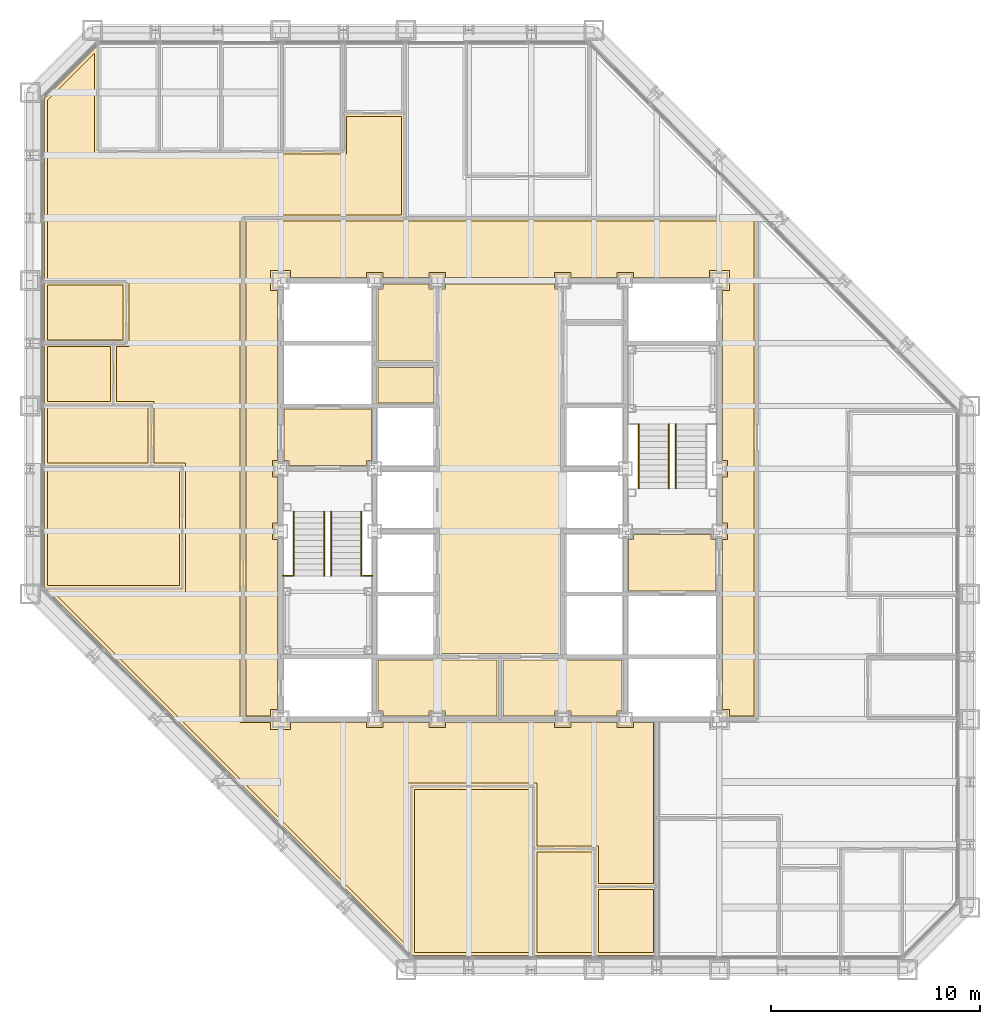
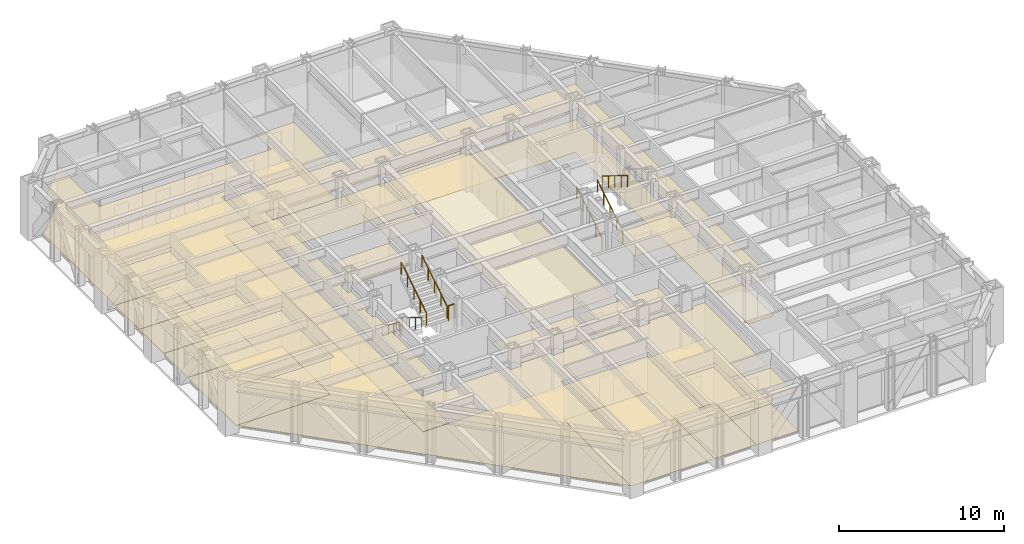
# One storey, part 14 of 16: 25 coverings, 9 railings.
"""IFC4 building model written with IfcOpenShell, lengths in metres."""

from ifc_helpers import new_model, si_unit, direction, frame, origin, origin_2d, place, context, subcontext, project, spatial, polyline, circle, outline, extrude, material, layer, layer_set, type_object, element, save


model = new_model("IFC4")

# Units and contexts
model_context = context("Model", 3, precision=1e-05, world=origin(), true_north=direction((0.0, 1.0)))
body_context = subcontext(model_context, "Body", "Model", "MODEL_VIEW")
ifc_project = project(units=[si_unit("LENGTHUNIT", "METRE"), si_unit("AREAUNIT", "SQUARE_METRE"), si_unit("VOLUMEUNIT", "CUBIC_METRE"), si_unit("PLANEANGLEUNIT", "RADIAN"), si_unit("MASSUNIT", "GRAM", prefix="KILO")], contexts=[model_context])

# Site, building, storey
site_placement = place(None, origin())
site = spatial("IfcSite", under=ifc_project, at=site_placement, CompositionType="ELEMENT")
building_placement = place(site_placement, origin())
building = spatial("IfcBuilding", under=site, at=building_placement, Name="Chuquiago Exchange Tower", CompositionType="ELEMENT")
storey_placement = place(building_placement, frame((0.0, 0.0, 127.800048828125)))
storey = spatial("IfcBuildingStorey", under=building, at=storey_placement, Name="L27", CompositionType="ELEMENT", Elevation=127.800048828125)

# Coverings
ifc_material_1 = material(Name="Mineral fibre tile, 600 x 600, on pale metal grid", Category="mineral fibre")
ifc_layer_1 = layer(ifc_material_1, 0.02001953125)
ifc_layer_set_1 = layer_set([ifc_layer_1], Name="CL1 suspended tile ceiling 20")
covering_type_1 = type_object("IfcCoveringType", Name="CL1 suspended tile ceiling 20", PredefinedType="CEILING", material=ifc_layer_set_1)
covering_1_placement = place(storey_placement, frame((0.0, 0.0, 2.800048828125)))
element("IfcCovering", 1, at=covering_1_placement, inside=storey, type_object=covering_type_1, Name="Ceiling Settlement office", PredefinedType="CEILING", context=body_context, shape_type="SweptSolid", body=[
    extrude(outline(polyline([(18.3984375, 8.64990234375), (23.974365234375, 8.64990234375), (23.974365234375, 0.85009765625), (18.3984375, 0.85009765625), (18.3984375, 8.64990234375)])), origin(), (0.0, 0.0, 1.0), 0.02001953125),
])
covering_2_placement = place(storey_placement, frame((0.0, 0.0, 2.800048828125)))
element("IfcCovering", 2, at=covering_2_placement, inside=storey, type_object=covering_type_1, Name="Ceiling Office", PredefinedType="CEILING", context=body_context, shape_type="SweptSolid", body=[
    extrude(outline(polyline([(24.2744140625, 5.64990234375), (26.912109375, 5.64990234375), (26.912109375, 0.85009765625), (24.2744140625, 0.85009765625), (24.2744140625, 5.64990234375)])), origin(), (0.0, 0.0, 1.0), 0.02001953125),
])
covering_3_placement = place(storey_placement, frame((0.0, 0.0, 2.800048828125)))
element("IfcCovering", 3, at=covering_3_placement, inside=storey, type_object=covering_type_1, Name="Ceiling Focus room", PredefinedType="CEILING", context=body_context, shape_type="SweptSolid", body=[
    extrude(outline(polyline([(27.212158203125, 3.85009765625), (29.85009765625, 3.85009765625), (29.85009765625, 0.85009765625), (27.212158203125, 0.85009765625), (27.212158203125, 3.85009765625)])), origin(), (0.0, 0.0, 1.0), 0.02001953125),
])
covering_4_placement = place(storey_placement, frame((0.0, 0.0, 2.800048828125)))
element("IfcCovering", 4, at=covering_4_placement, inside=storey, type_object=covering_type_1, Name="Ceiling Conference room", PredefinedType="CEILING", context=body_context, shape_type="SweptSolid", body=[
    extrude(outline(polyline([(0.85009765625, 23.974365234375), (7.14990234375, 23.974365234375), (7.14990234375, 18.3984375), (0.85009765625, 18.3984375), (0.85009765625, 23.974365234375)])), origin(), (0.0, 0.0, 1.0), 0.02001953125),
])
covering_5_placement = place(storey_placement, frame((0.0, 0.0, 2.800048828125)))
element("IfcCovering", 5, at=covering_5_placement, inside=storey, type_object=covering_type_1, Name="Ceiling Office", PredefinedType="CEILING", context=body_context, shape_type="SweptSolid", body=[
    extrude(outline(polyline([(5.64990234375, 26.912109375), (5.64990234375, 24.2744140625), (0.85009765625, 24.2744140625), (0.85009765625, 26.912109375), (5.64990234375, 26.912109375)])), origin(), (0.0, 0.0, 1.0), 0.02001953125),
])
covering_6_placement = place(storey_placement, frame((0.0, 0.0, 2.800048828125)))
element("IfcCovering", 6, at=covering_6_placement, inside=storey, type_object=covering_type_1, Name="Ceiling Focus room", PredefinedType="CEILING", context=body_context, shape_type="SweptSolid", body=[
    extrude(outline(polyline([(3.85009765625, 29.85009765625), (3.85009765625, 27.212158203125), (0.85009765625, 27.212158203125), (0.85009765625, 29.85009765625), (3.85009765625, 29.85009765625)])), origin(), (0.0, 0.0, 1.0), 0.02001953125),
])
covering_7_placement = place(storey_placement, frame((0.0, 0.0, 2.800048828125)))
element("IfcCovering", 7, at=covering_7_placement, inside=storey, type_object=covering_type_1, Name="Ceiling Pantry", PredefinedType="CEILING", context=body_context, shape_type="SweptSolid", body=[
    extrude(outline(polyline([(4.449951171875, 32.787841796875), (4.449951171875, 30.14990234375), (0.85009765625, 30.14990234375), (0.85009765625, 32.787841796875), (4.449951171875, 32.787841796875)])), origin(), (0.0, 0.0, 1.0), 0.02001953125),
])
covering_8_placement = place(storey_placement, frame((0.0, 0.0, 2.800048828125)))
element("IfcCovering", 8, at=covering_8_placement, inside=storey, type_object=covering_type_1, Name="Ceiling Open office west suite", PredefinedType="CEILING", context=body_context, shape_type="SweptSolid", body=[
    extrude(outline(polyline([(3.098388671875, 39.050048828125), (15.14990234375, 39.050048828125), (15.14990234375, 40.85009765625), (17.787353515625, 40.85009765625), (17.787353515625, 36.150390625), (10.049560546875, 36.150146484375), (10.049560546875, 11.849609375), (11.52490234375, 11.849609375), (11.52490234375, 11.52490234375), (12.47509765625, 11.52490234375), (12.47509765625, 11.849609375), (16.10009765625, 11.849853515625), (16.10009765625, 11.60009765625), (16.89990234375, 11.60009765625), (16.89990234375, 11.849853515625), (19.10009765625, 11.849853515625), (19.10009765625, 11.60009765625), (19.89990234375, 11.60009765625), (19.89990234375, 11.849853515625), (25.10009765625, 11.849853515625), (25.10009765625, 11.60009765625), (25.89990234375, 11.60009765625), (25.89990234375, 11.849853515625), (28.10009765625, 11.85009765625), (28.10009765625, 11.60009765625), (28.89990234375, 11.60009765625), (28.89990234375, 11.85009765625), (29.849609375, 11.85009765625), (29.849609375, 4.14990234375), (27.212158203125, 4.14990234375), (27.212158203125, 5.949951171875), (24.2744140625, 5.949951171875), (24.2744140625, 8.949951171875), (18.098388671875, 8.949951171875), (18.098388671875, 1.103515625), (1.103515625, 18.098388671875), (7.449951171875, 18.098388671875), (7.449951171875, 24.2744140625), (5.949951171875, 24.2744140625), (5.949951171875, 27.212158203125), (4.14990234375, 27.212158203125), (4.14990234375, 29.85009765625), (4.75, 29.85009765625), (4.75, 33.087890625), (0.85009765625, 33.087890625), (0.85009765625, 41.64794921875), (3.098388671875, 43.896484375), (3.098388671875, 39.050048828125)])), origin(), (0.0, 0.0, 1.0), 0.02001953125),
])
covering_9_placement = place(storey_placement, frame((0.0, 0.0, 2.800048828125)))
element("IfcCovering", 9, at=covering_9_placement, inside=storey, type_object=covering_type_1, Name="Ceiling Tenant corridor", PredefinedType="CEILING", context=body_context, shape_type="SweptSolid", body=[
    extrude(outline(polyline([(11.85009765625, 24.39990234375), (11.60009765625, 24.39990234375), (11.60009765625, 23.60009765625), (11.85009765625, 23.60009765625), (11.85009765625, 21.39990234375), (11.60009765625, 21.39990234375), (11.60009765625, 20.60009765625), (11.85009765625, 20.60009765625), (11.85009765625, 12.47509765625), (11.52490234375, 12.47509765625), (11.52490234375, 12.14990234375), (10.35009765625, 12.14990234375), (10.35009765625, 35.85009765625), (34.64990234375, 35.85009765625), (34.64990234375, 12.14990234375), (33.47509765625, 12.14990234375), (33.47509765625, 12.47509765625), (33.14990234375, 12.47509765625), (33.14990234375, 20.60009765625), (33.39990234375, 20.60009765625), (33.39990234375, 21.39990234375), (33.14990234375, 21.39990234375), (33.14990234375, 23.60009765625), (33.39990234375, 23.60009765625), (33.39990234375, 24.39990234375), (33.14990234375, 24.39990234375), (33.14990234375, 32.52490234375), (33.47509765625, 32.52490234375), (33.47509765625, 33.47509765625), (32.52490234375, 33.47509765625), (32.52490234375, 33.14990234375), (28.89990234375, 33.14990234375), (28.89990234375, 33.39990234375), (28.10009765625, 33.39990234375), (28.10009765625, 33.14990234375), (25.89990234375, 33.14990234375), (25.89990234375, 33.39990234375), (25.10009765625, 33.39990234375), (25.10009765625, 33.14990234375), (19.89990234375, 33.14990234375), (19.89990234375, 33.39990234375), (19.10009765625, 33.39990234375), (19.10009765625, 33.14990234375), (16.89990234375, 33.14990234375), (16.89990234375, 33.39990234375), (16.10009765625, 33.39990234375), (16.10009765625, 33.14990234375), (12.47509765625, 33.14990234375), (12.47509765625, 33.47509765625), (11.52490234375, 33.47509765625), (11.52490234375, 32.52490234375), (11.85009765625, 32.52490234375), (11.85009765625, 24.39990234375)])), origin(), (0.0, 0.0, 1.0), 0.02001953125),
])
covering_10_placement = place(storey_placement, frame((0.0, 0.0, 2.800048828125)))
element("IfcCovering", 10, at=covering_10_placement, inside=storey, type_object=covering_type_1, Name="Ceiling First aid room", PredefinedType="CEILING", context=body_context, shape_type="SweptSolid", body=[
    extrude(outline(polyline([(16.64990234375, 27.14990234375), (16.64990234375, 28.85009765625), (19.35009765625, 28.85009765625), (19.35009765625, 27.14990234375), (16.64990234375, 27.14990234375)])), origin(), (0.0, 0.0, 1.0), 0.02001953125),
])
ifc_material_2 = material(Name="Moisture resistant plasterboard on metal frame", Category="gypsum")
ifc_layer_2 = layer(ifc_material_2, 0.014892578125)
ifc_layer_set_2 = layer_set([ifc_layer_2], Name="CL2 moisture resistant ceiling 15")
covering_type_2 = type_object("IfcCoveringType", Name="CL2 moisture resistant ceiling 15", PredefinedType="CEILING", material=ifc_layer_set_2)
covering_11_placement = place(storey_placement, frame((0.0, 0.0, 2.599853515625)))
element("IfcCovering", 11, at=covering_11_placement, inside=storey, type_object=covering_type_2, Name="Ceiling Male WC", PredefinedType="CEILING", context=body_context, shape_type="SweptSolid", body=[
    extrude(outline(polyline([(16.64990234375, 29.14990234375), (16.64990234375, 32.60009765625), (16.89990234375, 32.60009765625), (16.89990234375, 32.85009765625), (19.10009765625, 32.85009765625), (19.10009765625, 32.60009765625), (19.35009765625, 32.60009765625), (19.35009765625, 29.14990234375), (16.64990234375, 29.14990234375)])), origin(), (0.0, 0.0, 1.0), 0.01513671875),
])
covering_12_placement = place(storey_placement, frame((0.0, 0.0, 2.599853515625)))
element("IfcCovering", 12, at=covering_12_placement, inside=storey, type_object=covering_type_2, Name="Ceiling Accessible WC", PredefinedType="CEILING", context=body_context, shape_type="SweptSolid", body=[
    extrude(outline(polyline([(25.89990234375, 12.14990234375), (25.89990234375, 12.39990234375), (25.10009765625, 12.39990234375), (25.10009765625, 12.14990234375), (22.64990234375, 12.14990234375), (22.64990234375, 14.85009765625), (28.35009765625, 14.85009765625), (28.35009765625, 12.39990234375), (28.10009765625, 12.39990234375), (28.10009765625, 12.14990234375), (25.89990234375, 12.14990234375)])), origin(), (0.0, 0.0, 1.0), 0.01513671875),
])
covering_13_placement = place(storey_placement, frame((0.0, 0.0, 2.599853515625)))
element("IfcCovering", 13, at=covering_13_placement, inside=storey, type_object=covering_type_2, Name="Ceiling Cleaner", PredefinedType="CEILING", context=body_context, shape_type="SweptSolid", body=[
    extrude(outline(polyline([(19.89990234375, 12.14990234375), (19.89990234375, 12.39990234375), (19.10009765625, 12.39990234375), (19.10009765625, 12.14990234375), (16.89990234375, 12.14990234375), (16.89990234375, 12.39990234375), (16.64990234375, 12.39990234375), (16.64990234375, 14.85009765625), (22.35009765625, 14.85009765625), (22.35009765625, 12.14990234375), (19.89990234375, 12.14990234375)])), origin(), (0.0, 0.0, 1.0), 0.01513671875),
])
ifc_material_3 = material(Name="Pale metal plank ceiling, perforated", Category="aluminium")
ifc_layer_3 = layer(ifc_material_3, 0.030029296875)
ifc_layer_set_3 = layer_set([ifc_layer_3], Name="CL3 metal plank ceiling 30")
covering_type_3 = type_object("IfcCoveringType", Name="CL3 metal plank ceiling 30", PredefinedType="CEILING", material=ifc_layer_set_3)
covering_14_placement = place(storey_placement, frame((0.0, 0.0, 2.800048828125)))
element("IfcCovering", 14, at=covering_14_placement, inside=storey, type_object=covering_type_3, Name="Ceiling Lift lobby", PredefinedType="CEILING", context=body_context, shape_type="SweptSolid", body=[
    extrude(outline(polyline([(19.64990234375, 15.14990234375), (19.64990234375, 32.60009765625), (19.89990234375, 32.60009765625), (19.89990234375, 32.85009765625), (25.10009765625, 32.85009765625), (25.10009765625, 32.60009765625), (25.35009765625, 32.60009765625), (25.35009765625, 15.14990234375), (19.64990234375, 15.14990234375)])), origin(), (0.0, 0.0, 1.0), 0.02978515625),
])
covering_15_placement = place(storey_placement, frame((0.0, 0.0, 2.800048828125)))
element("IfcCovering", 15, at=covering_15_placement, inside=storey, type_object=covering_type_3, Name="Ceiling Firefighting lobby", PredefinedType="CEILING", context=body_context, shape_type="SweptSolid", body=[
    extrude(outline(polyline([(12.39990234375, 24.14990234375), (12.39990234375, 24.39990234375), (12.14990234375, 24.39990234375), (12.14990234375, 26.85009765625), (16.35009765625, 26.85009765625), (16.35009765625, 24.39990234375), (16.10009765625, 24.39990234375), (16.10009765625, 24.14990234375), (12.39990234375, 24.14990234375)])), origin(), (0.0, 0.0, 1.0), 0.02978515625),
])
covering_16_placement = place(storey_placement, frame((0.0, 0.0, 2.800048828125)))
element("IfcCovering", 16, at=covering_16_placement, inside=storey, type_object=covering_type_3, Name="Ceiling Firefighting lobby", PredefinedType="CEILING", context=body_context, shape_type="SweptSolid", body=[
    extrude(outline(polyline([(28.64990234375, 18.14990234375), (28.64990234375, 20.60009765625), (28.89990234375, 20.60009765625), (28.89990234375, 20.85009765625), (32.60009765625, 20.85009765625), (32.60009765625, 20.60009765625), (32.85009765625, 20.60009765625), (32.85009765625, 18.14990234375), (28.64990234375, 18.14990234375)])), origin(), (0.0, 0.0, 1.0), 0.02978515625),
])
ifc_material_4 = material(Name="Carpet tile, 500 x 500, on the floor slab", Category="textile")
ifc_layer_4 = layer(ifc_material_4, 0.010009765625)
ifc_layer_set_4 = layer_set([ifc_layer_4], Name="FL1 carpet tile 10")
covering_type_4 = type_object("IfcCoveringType", Name="FL1 carpet tile 10", PredefinedType="FLOORING", material=ifc_layer_set_4)
covering_17_placement = place(storey_placement, origin())
element("IfcCovering", 17, at=covering_17_placement, inside=storey, type_object=covering_type_4, Name="Floor finish Settlement office", PredefinedType="FLOORING", context=body_context, shape_type="SweptSolid", body=[
    extrude(outline(polyline([(18.289794921875, 0.699951171875), (18.24853515625, 0.741455078125), (18.24853515625, 8.800048828125), (24.124267578125, 8.800048828125), (24.124267578125, 0.699951171875), (18.289794921875, 0.699951171875)])), origin(), (0.0, 0.0, 1.0), 0.010009765625),
])
covering_18_placement = place(storey_placement, origin())
element("IfcCovering", 18, at=covering_18_placement, inside=storey, type_object=covering_type_4, Name="Floor finish Office", PredefinedType="FLOORING", context=body_context, shape_type="SweptSolid", body=[
    extrude(outline(polyline([(24.124267578125, 0.699951171875), (24.124267578125, 5.800048828125), (27.06201171875, 5.800048828125), (27.06201171875, 0.699951171875), (24.124267578125, 0.699951171875)])), origin(), (0.0, 0.0, 1.0), 0.010009765625),
])
covering_19_placement = place(storey_placement, origin())
element("IfcCovering", 19, at=covering_19_placement, inside=storey, type_object=covering_type_4, Name="Floor finish Focus room", PredefinedType="FLOORING", context=body_context, shape_type="SweptSolid", body=[
    extrude(outline(polyline([(27.06201171875, 0.699951171875), (27.06201171875, 4.0), (30.0, 4.0), (30.0, 0.699951171875), (27.06201171875, 0.699951171875)])), origin(), (0.0, 0.0, 1.0), 0.010009765625),
])
covering_20_placement = place(storey_placement, origin())
element("IfcCovering", 20, at=covering_20_placement, inside=storey, type_object=covering_type_4, Name="Floor finish Conference room", PredefinedType="FLOORING", context=body_context, shape_type="SweptSolid", body=[
    extrude(outline(polyline([(0.699951171875, 24.124267578125), (7.300048828125, 24.124267578125), (7.300048828125, 18.24853515625), (0.741455078125, 18.24853515625), (0.699951171875, 18.289794921875), (0.699951171875, 24.124267578125)])), origin(), (0.0, 0.0, 1.0), 0.010009765625),
])
covering_21_placement = place(storey_placement, origin())
element("IfcCovering", 21, at=covering_21_placement, inside=storey, type_object=covering_type_4, Name="Floor finish Office", PredefinedType="FLOORING", context=body_context, shape_type="SweptSolid", body=[
    extrude(outline(polyline([(0.699951171875, 27.06201171875), (5.800048828125, 27.06201171875), (5.800048828125, 24.124267578125), (0.699951171875, 24.124267578125), (0.699951171875, 27.06201171875)])), origin(), (0.0, 0.0, 1.0), 0.010009765625),
])
covering_22_placement = place(storey_placement, origin())
element("IfcCovering", 22, at=covering_22_placement, inside=storey, type_object=covering_type_4, Name="Floor finish Focus room", PredefinedType="FLOORING", context=body_context, shape_type="SweptSolid", body=[
    extrude(outline(polyline([(0.699951171875, 30.0), (4.0, 30.0), (4.0, 27.06201171875), (0.699951171875, 27.06201171875), (0.699951171875, 30.0)])), origin(), (0.0, 0.0, 1.0), 0.010009765625),
])
covering_23_placement = place(storey_placement, origin())
element("IfcCovering", 23, at=covering_23_placement, inside=storey, type_object=covering_type_4, Name="Floor finish Open office west suite", PredefinedType="FLOORING", context=body_context, shape_type="SweptSolid", body=[
    extrude(outline(polyline([(3.24853515625, 44.258544921875), (3.24853515625, 39.199951171875), (15.0, 39.199951171875), (15.0, 41.0), (17.9375, 41.0), (17.9375, 36.00048828125), (10.199462890625, 36.0), (10.19970703125, 11.999755859375), (29.99951171875, 12.0), (29.99951171875, 4.0), (27.06201171875, 4.0), (27.06201171875, 5.800048828125), (24.124267578125, 5.800048828125), (24.124267578125, 8.800048828125), (18.24853515625, 8.800048828125), (18.24853515625, 0.741455078125), (0.741455078125, 18.24853515625), (7.300048828125, 18.24853515625), (7.300048828125, 24.124267578125), (5.800048828125, 24.124267578125), (5.800048828125, 27.06201171875), (4.0, 27.06201171875), (4.0, 30.0), (4.60009765625, 30.0), (4.60009765625, 32.93798828125), (0.699951171875, 32.93798828125), (0.699951171875, 41.710205078125), (3.289794921875, 44.300048828125), (3.24853515625, 44.258544921875)])), origin(), (0.0, 0.0, 1.0), 0.010009765625),
])
ifc_material_5 = material(Name="Porcelain floor tile, 600 x 600, on adhesive bed", Category="ceramic")
ifc_layer_5 = layer(ifc_material_5, 0.014892578125)
ifc_layer_set_5 = layer_set([ifc_layer_5], Name="FL2 porcelain tile 15")
covering_type_5 = type_object("IfcCoveringType", Name="FL2 porcelain tile 15", PredefinedType="FLOORING", material=ifc_layer_set_5)
covering_24_placement = place(storey_placement, origin())
element("IfcCovering", 24, at=covering_24_placement, inside=storey, type_object=covering_type_5, Name="Floor finish Pantry", PredefinedType="FLOORING", context=body_context, shape_type="SweptSolid", body=[
    extrude(outline(polyline([(0.699951171875, 32.93798828125), (4.60009765625, 32.93798828125), (4.60009765625, 30.0), (0.699951171875, 30.0), (0.699951171875, 32.93798828125)])), origin(), (0.0, 0.0, 1.0), 0.014892578125),
])
covering_25_placement = place(storey_placement, origin())
element("IfcCovering", 25, at=covering_25_placement, inside=storey, type_object=covering_type_5, Name="Floor finish Tenant corridor", PredefinedType="FLOORING", context=body_context, shape_type="SweptSolid", body=[
    extrude(outline(polyline([(12.0, 33.0), (12.0, 12.0), (10.199951171875, 12.0), (10.199951171875, 36.0), (34.800048828125, 36.0), (34.800048828125, 12.0), (33.0, 12.0), (33.0, 33.0), (12.0, 33.0)])), origin(), (0.0, 0.0, 1.0), 0.014892578125),
])

# Railings
ifc_material_6 = material(Name="Pale metal guard with safety glass infill", Category="glass")
railing_type_1 = type_object("IfcRailingType", Name="GR1 guard 1100", PredefinedType="GUARDRAIL", material=ifc_material_6)
for number, where, name in (
    (26, (12.10009765625, 18.8701171875, 2.099853515625), "Guard ST1 L27 landing 2"),
    (27, (15.945068359375, 18.8701171875, 2.099853515625), "Guard ST1 L27 landing 2"),
):
    element("IfcRailing", number, at=place(storey_placement, frame(where)), inside=storey, type_object=railing_type_1, Name=name, PredefinedType="GUARDRAIL", context=body_context, shape_type="SweptSolid", body=[
        extrude(circle(Radius=0.02392578125, at=origin_2d()), frame((0.0, 0.0, 1.076171875), z_axis=(1.0, 0.0, 0.0), x_axis=(0.0, 1.0, 0.0)), (0.0, 0.0, 1.0), 0.454833984375),
        extrude(circle(Radius=0.02099609375, at=origin_2d()), origin(), (0.0, 0.0, 1.0), 1.052001953125),
        extrude(circle(Radius=0.02099609375, at=origin_2d()), frame((0.454833984375, 0.0, 0.0)), (0.0, 0.0, 1.0), 1.052001953125),
    ])
ifc_material_7 = material(Name="Pale metal handrail", Category="steel")
railing_type_2 = type_object("IfcRailingType", Name="HR1 handrail 900", PredefinedType="HANDRAIL", material=ifc_material_7)
for number, where, name in (
    (28, (12.635009765625, 21.949951171875, 0.175048828125), "Handrail ST1 L27 flight 1"),
    (29, (14.0849609375, 21.949951171875, 0.175048828125), "Handrail ST1 L27 flight 1"),
):
    element("IfcRailing", number, at=place(storey_placement, frame(where)), inside=storey, type_object=railing_type_2, Name=name, PredefinedType="HANDRAIL", context=body_context, shape_type="SweptSolid", body=[
        extrude(circle(Radius=0.02392578125, at=origin_2d()), frame((0.0, 0.0, 0.8759765625), z_axis=(0.0, -0.848009633417, 0.529980812513), x_axis=(1.0, 0.0, 0.0)), (0.0, 0.0, 1.0), 3.6318359375),
        extrude(circle(Radius=0.02099609375, at=origin_2d()), origin(), (0.0, 0.0, 1.0), 0.851806640625),
        extrude(circle(Radius=0.02099609375, at=origin_2d()), frame((0.0, -0.77001953125, 0.481201171875)), (0.0, 0.0, 1.0), 0.851806640625),
        extrude(circle(Radius=0.02099609375, at=origin_2d()), frame((0.0, -1.5400390625, 0.96240234375)), (0.0, 0.0, 1.0), 0.851806640625),
        extrude(circle(Radius=0.02099609375, at=origin_2d()), frame((0.0, -2.309814453125, 1.443603515625)), (0.0, 0.0, 1.0), 0.851806640625),
        extrude(circle(Radius=0.02099609375, at=origin_2d()), frame((0.0, -3.079833984375, 1.9248046875)), (0.0, 0.0, 1.0), 0.851806640625),
    ])
for number, where, name in (
    (30, (15.864990234375, 18.8701171875, 2.27490234375), "Handrail ST1 L27 flight 2"),
    (31, (14.4150390625, 18.8701171875, 2.27490234375), "Handrail ST1 L27 flight 2"),
):
    element("IfcRailing", number, at=place(storey_placement, frame(where)), inside=storey, type_object=railing_type_2, Name=name, PredefinedType="HANDRAIL", context=body_context, shape_type="SweptSolid", body=[
        extrude(circle(Radius=0.02392578125, at=origin_2d()), frame((0.0, 0.0, 0.8759765625), z_axis=(0.0, 0.847979421464, 0.530029150871), x_axis=(-1.0, 0.0, 0.0)), (0.0, 0.0, 1.0), 3.632080078125),
        extrude(circle(Radius=0.02099609375, at=origin_2d()), origin(), (0.0, 0.0, 1.0), 0.851806640625),
        extrude(circle(Radius=0.02099609375, at=origin_2d()), frame((0.0, 0.77001953125, 0.481201171875)), (0.0, 0.0, 1.0), 0.851806640625),
        extrude(circle(Radius=0.02099609375, at=origin_2d()), frame((0.0, 1.5400390625, 0.96240234375)), (0.0, 0.0, 1.0), 0.851806640625),
        extrude(circle(Radius=0.02099609375, at=origin_2d()), frame((0.0, 2.309814453125, 1.44384765625)), (0.0, 0.0, 1.0), 0.851806640625),
        extrude(circle(Radius=0.02099609375, at=origin_2d()), frame((0.0, 3.079833984375, 1.925048828125)), (0.0, 0.0, 1.0), 0.851806640625),
    ])
for number, where, name in (
    (32, (30.5849609375, 23.050048828125, 0.175048828125), "Handrail ST2 L27 flight 1"),
    (33, (29.135009765625, 23.050048828125, 0.175048828125), "Handrail ST2 L27 flight 1"),
):
    element("IfcRailing", number, at=place(storey_placement, frame(where)), inside=storey, type_object=railing_type_2, Name=name, PredefinedType="HANDRAIL", context=body_context, shape_type="SweptSolid", body=[
        extrude(circle(Radius=0.02392578125, at=origin_2d()), frame((0.0, 0.0, 0.8759765625), z_axis=(0.0, 0.848009633417, 0.529980812513), x_axis=(-1.0, 0.0, 0.0)), (0.0, 0.0, 1.0), 3.6318359375),
        extrude(circle(Radius=0.02099609375, at=origin_2d()), origin(), (0.0, 0.0, 1.0), 0.851806640625),
        extrude(circle(Radius=0.02099609375, at=origin_2d()), frame((0.0, 0.77001953125, 0.481201171875)), (0.0, 0.0, 1.0), 0.851806640625),
        extrude(circle(Radius=0.02099609375, at=origin_2d()), frame((0.0, 1.5400390625, 0.96240234375)), (0.0, 0.0, 1.0), 0.851806640625),
        extrude(circle(Radius=0.02099609375, at=origin_2d()), frame((0.0, 2.309814453125, 1.443603515625)), (0.0, 0.0, 1.0), 0.851806640625),
        extrude(circle(Radius=0.02099609375, at=origin_2d()), frame((0.0, 3.079833984375, 1.9248046875)), (0.0, 0.0, 1.0), 0.851806640625),
    ])
railing_placement = place(storey_placement, frame((30.9150390625, 26.1298828125, 2.27490234375)))
element("IfcRailing", 34, at=railing_placement, inside=storey, type_object=railing_type_2, Name="Handrail ST2 L27 flight 2", PredefinedType="HANDRAIL", context=body_context, shape_type="SweptSolid", body=[
    extrude(circle(Radius=0.02392578125, at=origin_2d()), frame((0.0, 0.0, 0.8759765625), z_axis=(0.0, -0.847979421464, 0.530029150871), x_axis=(1.0, 0.0, 0.0)), (0.0, 0.0, 1.0), 3.632080078125),
    extrude(circle(Radius=0.02099609375, at=origin_2d()), origin(), (0.0, 0.0, 1.0), 0.851806640625),
    extrude(circle(Radius=0.02099609375, at=origin_2d()), frame((0.0, -0.77001953125, 0.481201171875)), (0.0, 0.0, 1.0), 0.851806640625),
    extrude(circle(Radius=0.02099609375, at=origin_2d()), frame((0.0, -1.5400390625, 0.96240234375)), (0.0, 0.0, 1.0), 0.851806640625),
    extrude(circle(Radius=0.02099609375, at=origin_2d()), frame((0.0, -2.309814453125, 1.44384765625)), (0.0, 0.0, 1.0), 0.851806640625),
    extrude(circle(Radius=0.02099609375, at=origin_2d()), frame((0.0, -3.079833984375, 1.925048828125)), (0.0, 0.0, 1.0), 0.851806640625),
])

save(model, "model.ifc")
